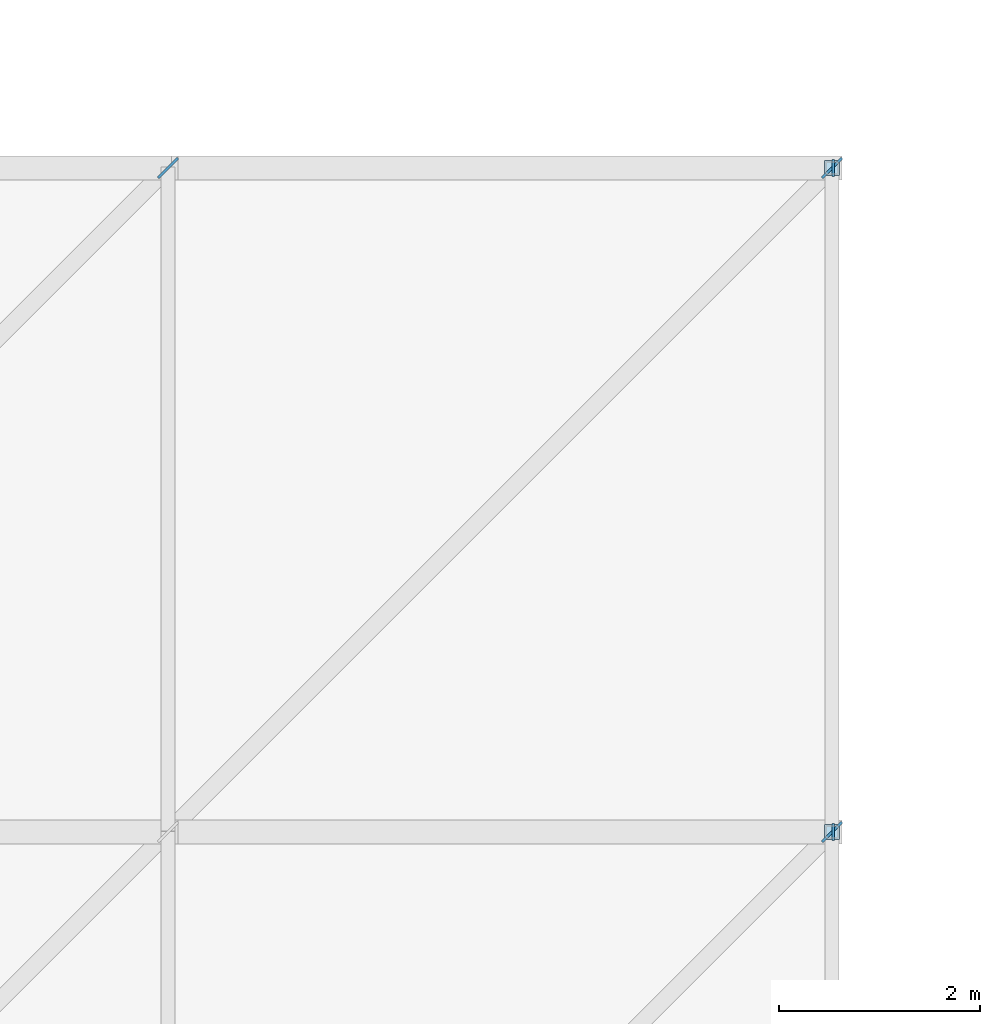
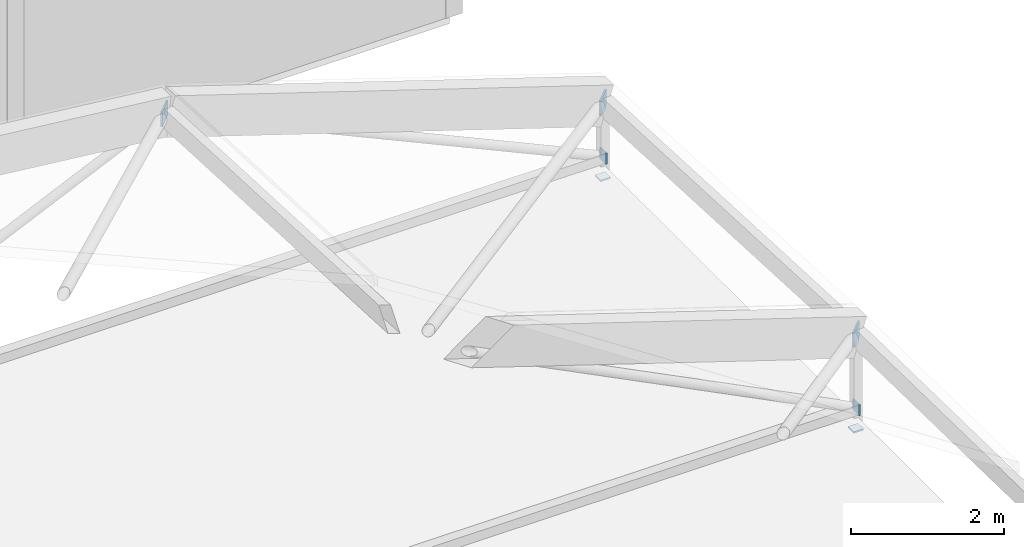
# One storey, part 125 of 157: 7 plates.
"""IFC4 building model written with IfcOpenShell, lengths in metres."""

from ifc_helpers import new_model, si_unit, direction, frame, origin, origin_2d, place, context, subcontext, project, spatial, rectangle, extrude, material, layer, layer_set, type_object, element, save


model = new_model("IFC4")

# Units and contexts
model_context = context("Model", 3, precision=1e-05, world=origin(), true_north=direction((0.0, 1.0)))
body_context = subcontext(model_context, "Body", "Model", "MODEL_VIEW")
ifc_project = project(units=[si_unit("LENGTHUNIT", "METRE"), si_unit("AREAUNIT", "SQUARE_METRE"), si_unit("VOLUMEUNIT", "CUBIC_METRE"), si_unit("PLANEANGLEUNIT", "RADIAN"), si_unit("MASSUNIT", "GRAM", prefix="KILO")], contexts=[model_context])

# Site, building, storey
site_placement = place(None, origin())
site = spatial("IfcSite", under=ifc_project, at=site_placement, CompositionType="ELEMENT")
building_placement = place(site_placement, origin())
building = spatial("IfcBuilding", under=site, at=building_placement, Name="Karori Crest Natural Sciences Institute", CompositionType="ELEMENT")
storey_placement = place(building_placement, frame((0.0, 0.0, 13.300048828125)))
storey = spatial("IfcBuildingStorey", under=building, at=storey_placement, Name="L03", CompositionType="ELEMENT", Elevation=13.300048828125)

# Plates
ifc_material = material(Name="Structural steel AS/NZS 3679.1 Grade 350", Category="steel")
ifc_layer_1 = layer(ifc_material, 0.02490234375, Name="Structural steel AS/NZS 3679.1 Grade 350")
ifc_layer_set_1 = layer_set([ifc_layer_1], Name="Structural steel AS/NZS 3679.1 Grade 350")
plate_type_1 = type_object("IfcPlateType", Name="PLT-06", PredefinedType="SHEET", material=ifc_layer_set_1)
for number, where, z_axis, x_axis, name in (
    (1, (27.21240234375, 20.60009765625, 0.034912109375), (0.0, 0.0, 1.0), (1.0, 0.0, 0.0), "Hollow section end cap EP-0299"),
    (2, (27.21240234375, 27.199951171875, 0.034912109375), (0.0, 0.0, 1.0), (1.0, 0.0, 0.0), "Hollow section end cap EP-0309"),
):
    element("IfcPlate", number, at=place(storey_placement, frame(where, z_axis=z_axis, x_axis=x_axis)), inside=storey, type_object=plate_type_1, Name=name, PredefinedType="SHEET", context=body_context, shape_type="SweptSolid", body=[
        extrude(rectangle(XDim=0.02490234375, YDim=0.169921875, at=origin_2d()), origin(), (0.0, 0.0, 1.0), 0.169921875),
    ])
ifc_layer_2 = layer(ifc_material, 0.02490234375, Name="Structural steel AS/NZS 3679.1 Grade 350")
ifc_layer_set_2 = layer_set([ifc_layer_2], Name="Structural steel AS/NZS 3679.1 Grade 350")
plate_type_2 = type_object("IfcPlateType", Name="PLT-06-EL", PredefinedType="SHEET", material=ifc_layer_set_2)
plate_1_placement = place(storey_placement, frame((27.199951171875, 20.60009765625, 1.16796875), z_axis=(0.0, 0.0, 1.0), x_axis=(0.707106781187, 0.707106781187, 0.0)))
element("IfcPlate", 3, at=plate_1_placement, inside=storey, type_object=plate_type_2, Name="Brace gusset plate EP-0294", PredefinedType="SHEET", context=body_context, shape_type="SweptSolid", body=[
    extrude(rectangle(XDim=0.280029296875, YDim=0.02490234375, at=origin_2d()), origin(), (0.0, 0.0, 1.0), 0.239990234375),
])
plate_2_placement = place(storey_placement, frame((27.199951171875, 20.60009765625, -0.22509765625), z_axis=(0.0, 0.0, 1.0), x_axis=(1.0, 0.0, 0.0)))
element("IfcPlate", 4, at=plate_2_placement, inside=storey, type_object=plate_type_2, Name="Hollow section end cap EP-0297", PredefinedType="SHEET", context=body_context, shape_type="SweptSolid", body=[
    extrude(rectangle(XDim=0.14501953125, YDim=0.14501953125, at=origin_2d()), origin(), (0.0, 0.0, 1.0), 0.02490234375),
])
for number, where, z_axis, x_axis, name in (
    (5, (20.60009765625, 27.199951171875, 2.9873046875), (0.0, 0.0, 1.0), (0.707106781187, 0.707106781187, 0.0), "Brace gusset plate EP-0303"),
    (6, (27.199951171875, 27.199951171875, 0.85009765625), (0.0, 0.0, 1.0), (0.707106781187, 0.707106781187, 0.0), "Brace gusset plate EP-0304"),
):
    element("IfcPlate", number, at=place(storey_placement, frame(where, z_axis=z_axis, x_axis=x_axis)), inside=storey, type_object=plate_type_2, Name=name, PredefinedType="SHEET", context=body_context, shape_type="SweptSolid", body=[
        extrude(rectangle(XDim=0.280029296875, YDim=0.02490234375, at=origin_2d()), origin(), (0.0, 0.0, 1.0), 0.239990234375),
    ])
plate_3_placement = place(storey_placement, frame((27.199951171875, 27.199951171875, -0.22509765625), z_axis=(0.0, 0.0, 1.0), x_axis=(1.0, 0.0, 0.0)))
element("IfcPlate", 7, at=plate_3_placement, inside=storey, type_object=plate_type_2, Name="Hollow section end cap EP-0307", PredefinedType="SHEET", context=body_context, shape_type="SweptSolid", body=[
    extrude(rectangle(XDim=0.14501953125, YDim=0.14501953125, at=origin_2d()), origin(), (0.0, 0.0, 1.0), 0.02490234375),
])

save(model, "model.ifc")
